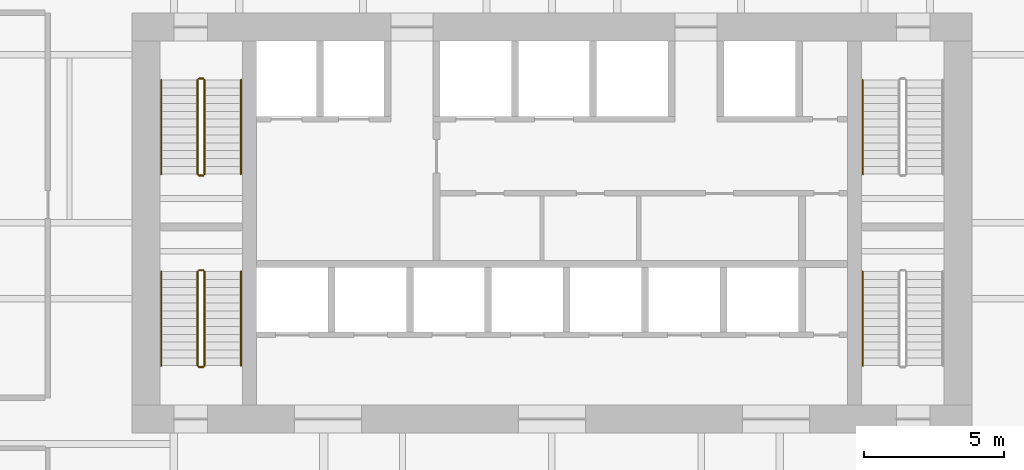
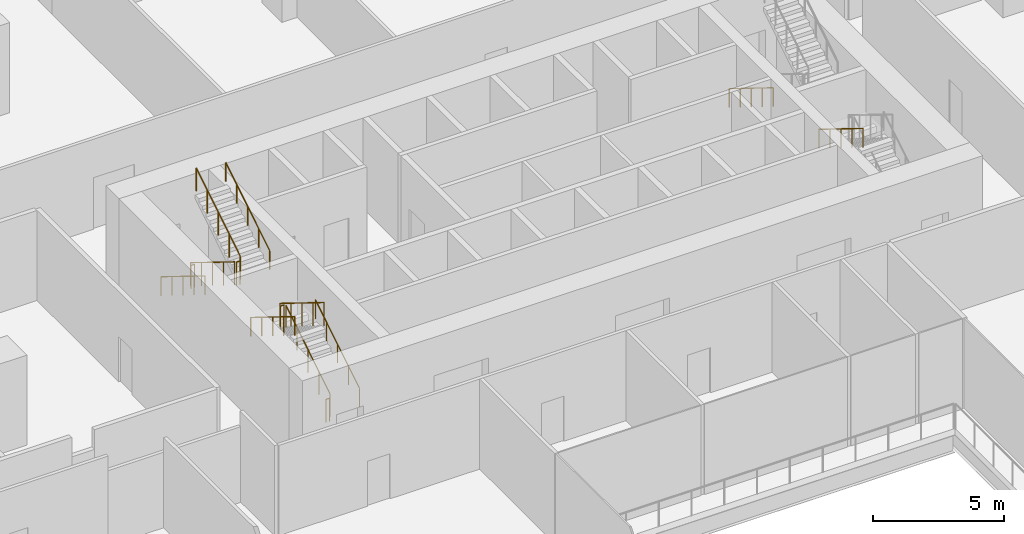
# One storey, part 26 of 29: 14 railings.
"""IFC4 building model written with IfcOpenShell, lengths in metres."""

from ifc_helpers import new_model, si_unit, direction, frame, origin, origin_2d, place, context, subcontext, project, spatial, circle, extrude, material, type_object, element, save


model = new_model("IFC4")

# Units and contexts
model_context = context("Model", 3, precision=1e-05, world=origin(), true_north=direction((0.0, 1.0)))
body_context = subcontext(model_context, "Body", "Model", "MODEL_VIEW")
ifc_project = project(units=[si_unit("LENGTHUNIT", "METRE"), si_unit("AREAUNIT", "SQUARE_METRE"), si_unit("VOLUMEUNIT", "CUBIC_METRE"), si_unit("PLANEANGLEUNIT", "RADIAN"), si_unit("MASSUNIT", "GRAM", prefix="KILO")], contexts=[model_context])

# Site, building, storey
site_placement = place(None, origin())
site = spatial("IfcSite", under=ifc_project, at=site_placement, CompositionType="ELEMENT")
building_placement = place(site_placement, origin())
building = spatial("IfcBuilding", under=site, at=building_placement, Name="Isthmus Gate Tower", CompositionType="ELEMENT")
storey_placement = place(building_placement, frame((0.0, 0.0, 27.0)))
storey = spatial("IfcBuildingStorey", under=building, at=storey_placement, Name="L04", CompositionType="ELEMENT", Elevation=27.0)

# Railings
ifc_material_1 = material(Name="Stainless steel balustrade", Category="steel")
railing_type_1 = type_object("IfcRailingType", Name="STAIR GUARD 1100", PredefinedType="GUARDRAIL", material=ifc_material_1)
railing_1_placement = place(storey_placement, frame((-12.64990234375, 12.60009765625, 0.173095703125)))
element("IfcRailing", 1, at=railing_1_placement, inside=storey, type_object=railing_type_1, Name="L04 ST1 stair guard 1", PredefinedType="GUARDRAIL", context=body_context, shape_type="SweptSolid", body=[
    extrude(circle(Radius=0.02392578125, at=origin_2d()), frame((0.0, 0.0, 1.076171875), z_axis=(0.0, -0.850623216509, 0.525775754039), x_axis=(1.0, 0.0, 0.0)), (0.0, 0.0, 1.0), 3.9501953125),
    extrude(circle(Radius=0.02099609375, at=origin_2d()), origin(), (0.0, 0.0, 1.0), 1.052001953125),
    extrude(circle(Radius=0.02099609375, at=origin_2d()), frame((0.0, -0.840087890625, 0.519287109375)), (0.0, 0.0, 1.0), 1.052001953125),
    extrude(circle(Radius=0.02099609375, at=origin_2d()), frame((0.0, -1.68017578125, 1.03857421875)), (0.0, 0.0, 1.0), 1.052001953125),
    extrude(circle(Radius=0.02099609375, at=origin_2d()), frame((0.0, -2.52001953125, 1.5576171875)), (0.0, 0.0, 1.0), 1.052001953125),
    extrude(circle(Radius=0.02099609375, at=origin_2d()), frame((0.0, -3.360107421875, 2.076904296875)), (0.0, 0.0, 1.0), 1.052001953125),
])
railing_2_placement = place(storey_placement, frame((-12.60009765625, 9.18994140625, 2.25)))
element("IfcRailing", 2, at=railing_2_placement, inside=storey, type_object=railing_type_1, Name="L04 ST1 stair guard 2", PredefinedType="GUARDRAIL", context=body_context, shape_type="SweptSolid", body=[
    extrude(circle(Radius=0.02392578125, at=origin_2d()), frame((0.0, 0.0, 1.076171875), z_axis=(1.0, 0.0, 0.0), x_axis=(0.0, 1.0, 0.0)), (0.0, 0.0, 1.0), 0.150146484375),
    extrude(circle(Radius=0.02099609375, at=origin_2d()), origin(), (0.0, 0.0, 1.0), 1.052001953125),
    extrude(circle(Radius=0.02099609375, at=origin_2d()), frame((0.150146484375, 0.0, 0.0)), (0.0, 0.0, 1.0), 1.052001953125),
])
railing_3_placement = place(storey_placement, frame((-12.39990234375, 9.239990234375, 2.423095703125)))
element("IfcRailing", 3, at=railing_3_placement, inside=storey, type_object=railing_type_1, Name="L04 ST1 stair guard 3", PredefinedType="GUARDRAIL", context=body_context, shape_type="SweptSolid", body=[
    extrude(circle(Radius=0.02392578125, at=origin_2d()), frame((0.0, 0.0, 1.076171875), z_axis=(0.0, 0.850623216509, 0.525775754039), x_axis=(-1.0, 0.0, 0.0)), (0.0, 0.0, 1.0), 3.9501953125),
    extrude(circle(Radius=0.02099609375, at=origin_2d()), origin(), (0.0, 0.0, 1.0), 1.052001953125),
    extrude(circle(Radius=0.02099609375, at=origin_2d()), frame((0.0, 0.840087890625, 0.519287109375)), (0.0, 0.0, 1.0), 1.052001953125),
    extrude(circle(Radius=0.02099609375, at=origin_2d()), frame((0.0, 1.68017578125, 1.03857421875)), (0.0, 0.0, 1.0), 1.052001953125),
    extrude(circle(Radius=0.02099609375, at=origin_2d()), frame((0.0, 2.52001953125, 1.5576171875)), (0.0, 0.0, 1.0), 1.052001953125),
    extrude(circle(Radius=0.02099609375, at=origin_2d()), frame((0.0, 3.360107421875, 2.076904296875)), (0.0, 0.0, 1.0), 1.052001953125),
])
railing_4_placement = place(storey_placement, frame((-12.60009765625, 12.64990234375, 0.0)))
element("IfcRailing", 4, at=railing_4_placement, inside=storey, type_object=railing_type_1, Name="L04 ST1 stair guard 4", PredefinedType="GUARDRAIL", context=body_context, shape_type="SweptSolid", body=[
    extrude(circle(Radius=0.02392578125, at=origin_2d()), frame((0.0, 0.0, 1.076171875), z_axis=(1.0, 0.0, 0.0), x_axis=(0.0, 1.0, 0.0)), (0.0, 0.0, 1.0), 0.150146484375),
    extrude(circle(Radius=0.02099609375, at=origin_2d()), origin(), (0.0, 0.0, 1.0), 1.052001953125),
    extrude(circle(Radius=0.02099609375, at=origin_2d()), frame((0.150146484375, 0.0, 0.0)), (0.0, 0.0, 1.0), 1.052001953125),
])
railing_5_placement = place(storey_placement, frame((-12.39990234375, 2.39990234375, 0.173095703125)))
element("IfcRailing", 5, at=railing_5_placement, inside=storey, type_object=railing_type_1, Name="L04 ST7 stair guard 1", PredefinedType="GUARDRAIL", context=body_context, shape_type="SweptSolid", body=[
    extrude(circle(Radius=0.02392578125, at=origin_2d()), frame((0.0, 0.0, 1.076171875), z_axis=(0.0, 0.850623216509, 0.525775754039), x_axis=(-1.0, 0.0, 0.0)), (0.0, 0.0, 1.0), 3.9501953125),
    extrude(circle(Radius=0.02099609375, at=origin_2d()), origin(), (0.0, 0.0, 1.0), 1.052001953125),
    extrude(circle(Radius=0.02099609375, at=origin_2d()), frame((0.0, 0.840087890625, 0.519287109375)), (0.0, 0.0, 1.0), 1.052001953125),
    extrude(circle(Radius=0.02099609375, at=origin_2d()), frame((0.0, 1.68017578125, 1.03857421875)), (0.0, 0.0, 1.0), 1.052001953125),
    extrude(circle(Radius=0.02099609375, at=origin_2d()), frame((0.0, 2.52001953125, 1.5576171875)), (0.0, 0.0, 1.0), 1.052001953125),
    extrude(circle(Radius=0.02099609375, at=origin_2d()), frame((0.0, 3.360107421875, 2.076904296875)), (0.0, 0.0, 1.0), 1.052001953125),
])
railing_6_placement = place(storey_placement, frame((-12.449951171875, 5.81005859375, 2.25)))
element("IfcRailing", 6, at=railing_6_placement, inside=storey, type_object=railing_type_1, Name="L04 ST7 stair guard 2", PredefinedType="GUARDRAIL", context=body_context, shape_type="SweptSolid", body=[
    extrude(circle(Radius=0.02392578125, at=origin_2d()), frame((0.0, 0.0, 1.076171875), z_axis=(-1.0, 0.0, 0.0), x_axis=(0.0, -1.0, 0.0)), (0.0, 0.0, 1.0), 0.150146484375),
    extrude(circle(Radius=0.02099609375, at=origin_2d()), origin(), (0.0, 0.0, 1.0), 1.052001953125),
    extrude(circle(Radius=0.02099609375, at=origin_2d()), frame((-0.150146484375, 0.0, 0.0)), (0.0, 0.0, 1.0), 1.052001953125),
])
railing_7_placement = place(storey_placement, frame((-12.64990234375, 5.760009765625, 2.423095703125)))
element("IfcRailing", 7, at=railing_7_placement, inside=storey, type_object=railing_type_1, Name="L04 ST7 stair guard 3", PredefinedType="GUARDRAIL", context=body_context, shape_type="SweptSolid", body=[
    extrude(circle(Radius=0.02392578125, at=origin_2d()), frame((0.0, 0.0, 1.076171875), z_axis=(0.0, -0.850623216509, 0.525775754039), x_axis=(1.0, 0.0, 0.0)), (0.0, 0.0, 1.0), 3.9501953125),
    extrude(circle(Radius=0.02099609375, at=origin_2d()), origin(), (0.0, 0.0, 1.0), 1.052001953125),
    extrude(circle(Radius=0.02099609375, at=origin_2d()), frame((0.0, -0.840087890625, 0.519287109375)), (0.0, 0.0, 1.0), 1.052001953125),
    extrude(circle(Radius=0.02099609375, at=origin_2d()), frame((0.0, -1.68017578125, 1.03857421875)), (0.0, 0.0, 1.0), 1.052001953125),
    extrude(circle(Radius=0.02099609375, at=origin_2d()), frame((0.0, -2.52001953125, 1.5576171875)), (0.0, 0.0, 1.0), 1.052001953125),
    extrude(circle(Radius=0.02099609375, at=origin_2d()), frame((0.0, -3.360107421875, 2.076904296875)), (0.0, 0.0, 1.0), 1.052001953125),
])
railing_8_placement = place(storey_placement, frame((-12.449951171875, 2.35009765625, 0.0)))
element("IfcRailing", 8, at=railing_8_placement, inside=storey, type_object=railing_type_1, Name="L04 ST7 stair guard 4", PredefinedType="GUARDRAIL", context=body_context, shape_type="SweptSolid", body=[
    extrude(circle(Radius=0.02392578125, at=origin_2d()), frame((0.0, 0.0, 1.076171875), z_axis=(-1.0, 0.0, 0.0), x_axis=(0.0, -1.0, 0.0)), (0.0, 0.0, 1.0), 0.150146484375),
    extrude(circle(Radius=0.02099609375, at=origin_2d()), origin(), (0.0, 0.0, 1.0), 1.052001953125),
    extrude(circle(Radius=0.02099609375, at=origin_2d()), frame((-0.150146484375, 0.0, 0.0)), (0.0, 0.0, 1.0), 1.052001953125),
])
ifc_material_2 = material(Name="Stainless steel handrail", Category="steel")
railing_type_2 = type_object("IfcRailingType", Name="STAIR HANDRAIL 900", PredefinedType="HANDRAIL", material=ifc_material_2)
railing_9_placement = place(storey_placement, frame((-13.949951171875, 12.60009765625, 0.173095703125)))
element("IfcRailing", 9, at=railing_9_placement, inside=storey, type_object=railing_type_2, Name="L04 ST1 stair handrail 1", PredefinedType="HANDRAIL", context=body_context, shape_type="SweptSolid", body=[
    extrude(circle(Radius=0.02392578125, at=origin_2d()), frame((0.0, 0.0, 0.8759765625), z_axis=(0.0, -0.850623216509, 0.525775754039), x_axis=(1.0, 0.0, 0.0)), (0.0, 0.0, 1.0), 3.9501953125),
    extrude(circle(Radius=0.02099609375, at=origin_2d()), origin(), (0.0, 0.0, 1.0), 0.851806640625),
    extrude(circle(Radius=0.02099609375, at=origin_2d()), frame((0.0, -0.840087890625, 0.519287109375)), (0.0, 0.0, 1.0), 0.851806640625),
    extrude(circle(Radius=0.02099609375, at=origin_2d()), frame((0.0, -1.68017578125, 1.03857421875)), (0.0, 0.0, 1.0), 0.851806640625),
    extrude(circle(Radius=0.02099609375, at=origin_2d()), frame((0.0, -2.52001953125, 1.5576171875)), (0.0, 0.0, 1.0), 0.851806640625),
    extrude(circle(Radius=0.02099609375, at=origin_2d()), frame((0.0, -3.360107421875, 2.076904296875)), (0.0, 0.0, 1.0), 0.851806640625),
])
railing_10_placement = place(storey_placement, frame((-11.10009765625, 9.239990234375, 2.423095703125)))
element("IfcRailing", 10, at=railing_10_placement, inside=storey, type_object=railing_type_2, Name="L04 ST1 stair handrail 2", PredefinedType="HANDRAIL", context=body_context, shape_type="SweptSolid", body=[
    extrude(circle(Radius=0.02392578125, at=origin_2d()), frame((0.0, 0.0, 0.8759765625), z_axis=(0.0, 0.850623216509, 0.525775754039), x_axis=(-1.0, 0.0, 0.0)), (0.0, 0.0, 1.0), 3.9501953125),
    extrude(circle(Radius=0.02099609375, at=origin_2d()), origin(), (0.0, 0.0, 1.0), 0.851806640625),
    extrude(circle(Radius=0.02099609375, at=origin_2d()), frame((0.0, 0.840087890625, 0.519287109375)), (0.0, 0.0, 1.0), 0.851806640625),
    extrude(circle(Radius=0.02099609375, at=origin_2d()), frame((0.0, 1.68017578125, 1.03857421875)), (0.0, 0.0, 1.0), 0.851806640625),
    extrude(circle(Radius=0.02099609375, at=origin_2d()), frame((0.0, 2.52001953125, 1.5576171875)), (0.0, 0.0, 1.0), 0.851806640625),
    extrude(circle(Radius=0.02099609375, at=origin_2d()), frame((0.0, 3.360107421875, 2.076904296875)), (0.0, 0.0, 1.0), 0.851806640625),
])
railing_11_placement = place(storey_placement, frame((11.10009765625, 12.60009765625, 0.173095703125)))
element("IfcRailing", 11, at=railing_11_placement, inside=storey, type_object=railing_type_2, Name="L04 ST2 stair handrail 1", PredefinedType="HANDRAIL", context=body_context, shape_type="SweptSolid", body=[
    extrude(circle(Radius=0.02392578125, at=origin_2d()), frame((0.0, 0.0, 0.8759765625), z_axis=(0.0, -0.850623216509, 0.525775754039), x_axis=(1.0, 0.0, 0.0)), (0.0, 0.0, 1.0), 3.9501953125),
    extrude(circle(Radius=0.02099609375, at=origin_2d()), origin(), (0.0, 0.0, 1.0), 0.851806640625),
    extrude(circle(Radius=0.02099609375, at=origin_2d()), frame((0.0, -0.840087890625, 0.519287109375)), (0.0, 0.0, 1.0), 0.851806640625),
    extrude(circle(Radius=0.02099609375, at=origin_2d()), frame((0.0, -1.68017578125, 1.03857421875)), (0.0, 0.0, 1.0), 0.851806640625),
    extrude(circle(Radius=0.02099609375, at=origin_2d()), frame((0.0, -2.52001953125, 1.5576171875)), (0.0, 0.0, 1.0), 0.851806640625),
    extrude(circle(Radius=0.02099609375, at=origin_2d()), frame((0.0, -3.360107421875, 2.076904296875)), (0.0, 0.0, 1.0), 0.851806640625),
])
railing_12_placement = place(storey_placement, frame((-11.10009765625, 2.39990234375, 0.173095703125)))
element("IfcRailing", 12, at=railing_12_placement, inside=storey, type_object=railing_type_2, Name="L04 ST7 stair handrail 1", PredefinedType="HANDRAIL", context=body_context, shape_type="SweptSolid", body=[
    extrude(circle(Radius=0.02392578125, at=origin_2d()), frame((0.0, 0.0, 0.8759765625), z_axis=(0.0, 0.850623216509, 0.525775754039), x_axis=(-1.0, 0.0, 0.0)), (0.0, 0.0, 1.0), 3.9501953125),
    extrude(circle(Radius=0.02099609375, at=origin_2d()), origin(), (0.0, 0.0, 1.0), 0.851806640625),
    extrude(circle(Radius=0.02099609375, at=origin_2d()), frame((0.0, 0.840087890625, 0.519287109375)), (0.0, 0.0, 1.0), 0.851806640625),
    extrude(circle(Radius=0.02099609375, at=origin_2d()), frame((0.0, 1.68017578125, 1.03857421875)), (0.0, 0.0, 1.0), 0.851806640625),
    extrude(circle(Radius=0.02099609375, at=origin_2d()), frame((0.0, 2.52001953125, 1.5576171875)), (0.0, 0.0, 1.0), 0.851806640625),
    extrude(circle(Radius=0.02099609375, at=origin_2d()), frame((0.0, 3.360107421875, 2.076904296875)), (0.0, 0.0, 1.0), 0.851806640625),
])
for number, where, name in (
    (13, (-13.949951171875, 5.760009765625, 2.423095703125), "L04 ST7 stair handrail 2"),
    (14, (11.10009765625, 5.760009765625, 2.423095703125), "L04 ST8 stair handrail 2"),
):
    element("IfcRailing", number, at=place(storey_placement, frame(where)), inside=storey, type_object=railing_type_2, Name=name, PredefinedType="HANDRAIL", context=body_context, shape_type="SweptSolid", body=[
        extrude(circle(Radius=0.02392578125, at=origin_2d()), frame((0.0, 0.0, 0.8759765625), z_axis=(0.0, -0.850623216509, 0.525775754039), x_axis=(1.0, 0.0, 0.0)), (0.0, 0.0, 1.0), 3.9501953125),
        extrude(circle(Radius=0.02099609375, at=origin_2d()), origin(), (0.0, 0.0, 1.0), 0.851806640625),
        extrude(circle(Radius=0.02099609375, at=origin_2d()), frame((0.0, -0.840087890625, 0.519287109375)), (0.0, 0.0, 1.0), 0.851806640625),
        extrude(circle(Radius=0.02099609375, at=origin_2d()), frame((0.0, -1.68017578125, 1.03857421875)), (0.0, 0.0, 1.0), 0.851806640625),
        extrude(circle(Radius=0.02099609375, at=origin_2d()), frame((0.0, -2.52001953125, 1.5576171875)), (0.0, 0.0, 1.0), 0.851806640625),
        extrude(circle(Radius=0.02099609375, at=origin_2d()), frame((0.0, -3.360107421875, 2.076904296875)), (0.0, 0.0, 1.0), 0.851806640625),
    ])

save(model, "model.ifc")
